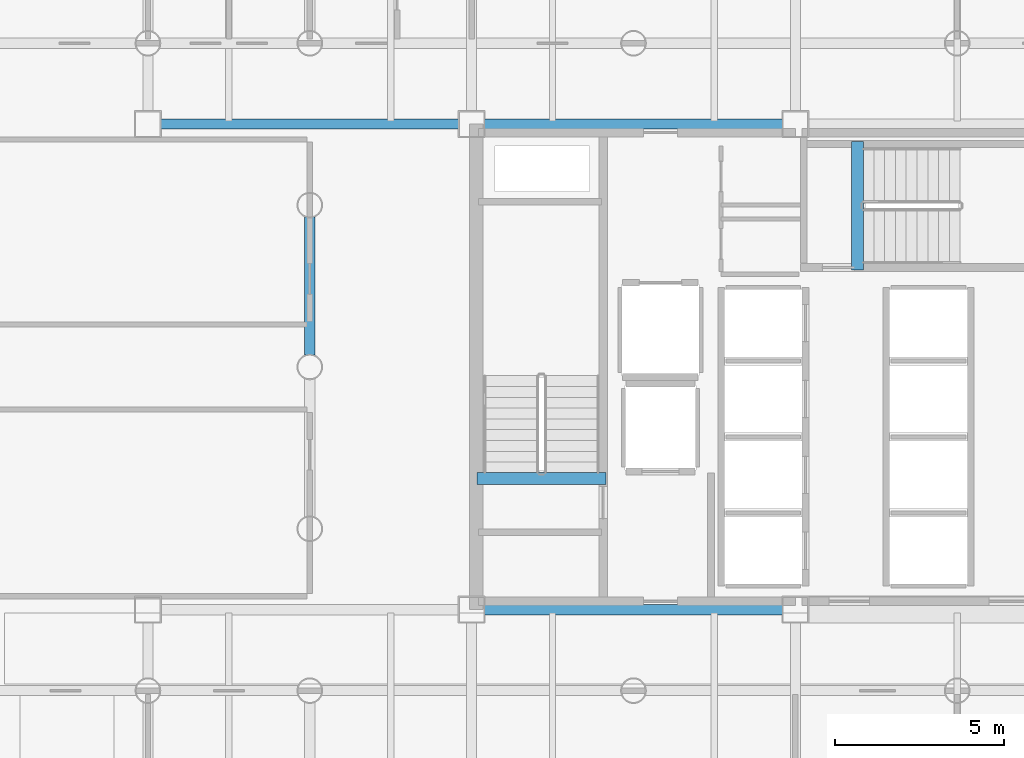
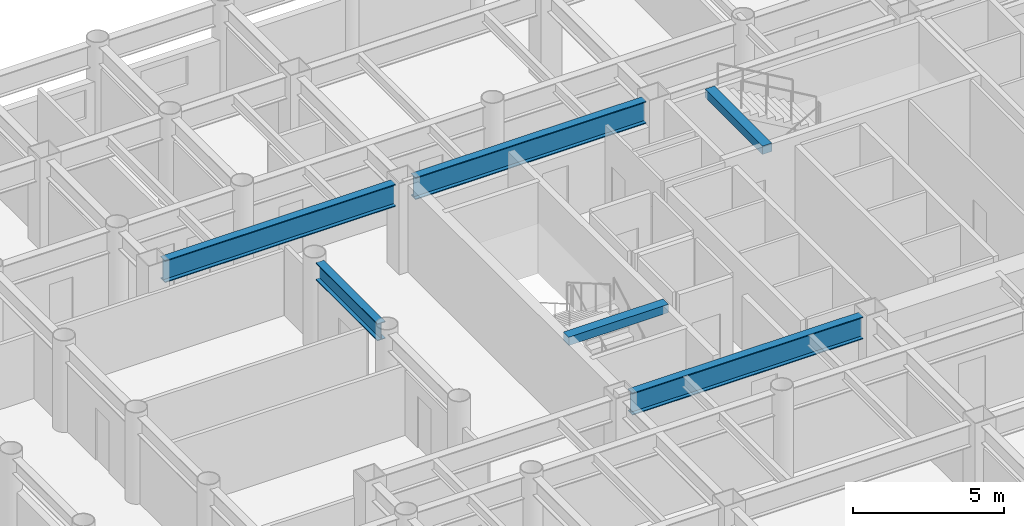
# One storey, part 5 of 22: 6 beams.
"""IFC4 building model written with IfcOpenShell, lengths in metres."""

from ifc_helpers import new_model, si_unit, direction, frame, origin, origin_2d, place, context, subcontext, project, spatial, rectangle, i_section, extrude, material, material_profile, profile_set, type_object, element, save


model = new_model("IFC4")

# Units and contexts
model_context = context("Model", 3, precision=1e-05, world=origin(), true_north=direction((0.0, 1.0)))
body_context = subcontext(model_context, "Body", "Model", "MODEL_VIEW")
ifc_project = project(units=[si_unit("LENGTHUNIT", "METRE"), si_unit("AREAUNIT", "SQUARE_METRE"), si_unit("VOLUMEUNIT", "CUBIC_METRE"), si_unit("PLANEANGLEUNIT", "RADIAN"), si_unit("MASSUNIT", "GRAM", prefix="KILO")], contexts=[model_context])

# Site, building, storey
site_placement = place(None, origin())
site = spatial("IfcSite", under=ifc_project, at=site_placement, CompositionType="ELEMENT")
building_placement = place(site_placement, origin())
building = spatial("IfcBuilding", under=site, at=building_placement, Name="Kallvorn Hotel Tower", CompositionType="ELEMENT")
storey_placement = place(building_placement, frame((0.0, 0.0, 48.5)))
storey = spatial("IfcBuildingStorey", under=building, at=storey_placement, Name="L10", CompositionType="ELEMENT", Elevation=48.5)

# Beams
ifc_material_1 = material(Name="Structural steel S355JR", Category="steel")
ifc_material_profile_1 = material_profile(ifc_material_1, i_section(OverallWidth=0.300048828125, OverallDepth=0.699951171875, WebThickness=0.01708984375, FlangeThickness=0.031982421875, at=origin_2d()), Name="HE 700 B")
ifc_profile_set_1 = profile_set([ifc_material_profile_1], Name="Structural steel S355JR")
beam_type_1 = type_object("IfcBeamType", Name="BM_HE700B", PredefinedType="BEAM", material=ifc_profile_set_1)
beam_1_placement = place(storey_placement, frame((-19.199951171875, 0.35595703125, 3.169921875), z_axis=(0.0, 1.0, 0.0), x_axis=(-1.0, 0.0, 0.0)))
element("IfcBeam", 1, at=beam_1_placement, inside=storey, type_object=beam_type_1, Name="L11 Primary Y-Girder 94", PredefinedType="BEAM", context=body_context, shape_type="SweptSolid", body=[
    extrude(i_section(OverallWidth=0.300048828125, OverallDepth=0.699951171875, WebThickness=0.01708984375, FlangeThickness=0.031982421875, at=origin_2d()), origin(), (0.0, 0.0, 1.0), 4.088134765625),
])
ifc_material_2 = material(Name="Structural steel S355JR", Category="steel")
ifc_material_profile_2 = material_profile(ifc_material_2, i_section(OverallWidth=0.300048828125, OverallDepth=0.89990234375, WebThickness=0.0185546875, FlangeThickness=0.034912109375, at=origin_2d()), Name="HE 900 B")
ifc_profile_set_2 = profile_set([ifc_material_profile_2], Name="Structural steel S355JR")
beam_type_2 = type_object("IfcBeamType", Name="BM_HE900B", PredefinedType="BEAM", material=ifc_profile_set_2)
beam_2_placement = place(storey_placement, frame((-14.02490234375, -7.199951171875, 3.070068359375), z_axis=(1.0, 0.0, 0.0), x_axis=(0.0, 1.0, 0.0)))
element("IfcBeam", 2, at=beam_2_placement, inside=storey, type_object=beam_type_2, Name="L11 Primary X-Girder 34", PredefinedType="BEAM", context=body_context, shape_type="SweptSolid", body=[
    extrude(i_section(OverallWidth=0.300048828125, OverallDepth=0.89990234375, WebThickness=0.0185546875, FlangeThickness=0.034912109375, at=origin_2d()), origin(), (0.0, 0.0, 1.0), 8.849853515625),
])
beam_3_placement = place(storey_placement, frame((-23.625, 7.199951171875, 3.070068359375), z_axis=(1.0, 0.0, 0.0), x_axis=(0.0, 1.0, 0.0)))
element("IfcBeam", 3, at=beam_3_placement, inside=storey, type_object=beam_type_2, Name="L11 Primary X-Girder 37", PredefinedType="BEAM", context=body_context, shape_type="SweptSolid", body=[
    extrude(i_section(OverallWidth=0.300048828125, OverallDepth=0.89990234375, WebThickness=0.0185546875, FlangeThickness=0.034912109375, at=origin_2d()), origin(), (0.0, 0.0, 1.0), 8.85009765625),
])
beam_4_placement = place(storey_placement, frame((-14.02490234375, 7.199951171875, 3.070068359375), z_axis=(1.0, 0.0, 0.0), x_axis=(0.0, 1.0, 0.0)))
element("IfcBeam", 4, at=beam_4_placement, inside=storey, type_object=beam_type_2, Name="L11 Primary X-Girder 38", PredefinedType="BEAM", context=body_context, shape_type="SweptSolid", body=[
    extrude(i_section(OverallWidth=0.300048828125, OverallDepth=0.89990234375, WebThickness=0.0185546875, FlangeThickness=0.034912109375, at=origin_2d()), origin(), (0.0, 0.0, 1.0), 8.849853515625),
])
ifc_material_3 = material(Name="Concrete C50/60", Category="concrete")
ifc_material_profile_3 = material_profile(ifc_material_3, rectangle(XDim=0.360107421875, YDim=0.340087890625, at=origin_2d()), Name="RC 360x340")
ifc_profile_set_3 = profile_set([ifc_material_profile_3], Name="Concrete C50/60")
beam_type_3 = type_object("IfcBeamType", Name="BM_RC_400x360", PredefinedType="BEAM", material=ifc_profile_set_3)
beam_5_placement = place(storey_placement, frame((-10.419921875, -3.31005859375, 3.35009765625), z_axis=(-1.0, 0.0, 0.0), x_axis=(0.0, -1.0, 0.0)))
element("IfcBeam", 5, at=beam_5_placement, inside=storey, type_object=beam_type_3, Name="L11 Stair ST1 Arrival Trimmer Beam", PredefinedType="BEAM", context=body_context, shape_type="SweptSolid", body=[
    extrude(rectangle(XDim=0.360107421875, YDim=0.340087890625, at=origin_2d()), origin(), (0.0, 0.0, 1.0), 3.820068359375),
])
beam_6_placement = place(storey_placement, frame((-2.9599609375, 2.8701171875, 3.35009765625), z_axis=(0.0, 1.0, 0.0), x_axis=(-1.0, 0.0, 0.0)))
element("IfcBeam", 6, at=beam_6_placement, inside=storey, type_object=beam_type_3, Name="L11 Stair ST3 Arrival Trimmer Beam", PredefinedType="BEAM", context=body_context, shape_type="SweptSolid", body=[
    extrude(rectangle(XDim=0.360107421875, YDim=0.340087890625, at=origin_2d()), origin(), (0.0, 0.0, 1.0), 3.81982421875),
])

save(model, "model.ifc")
